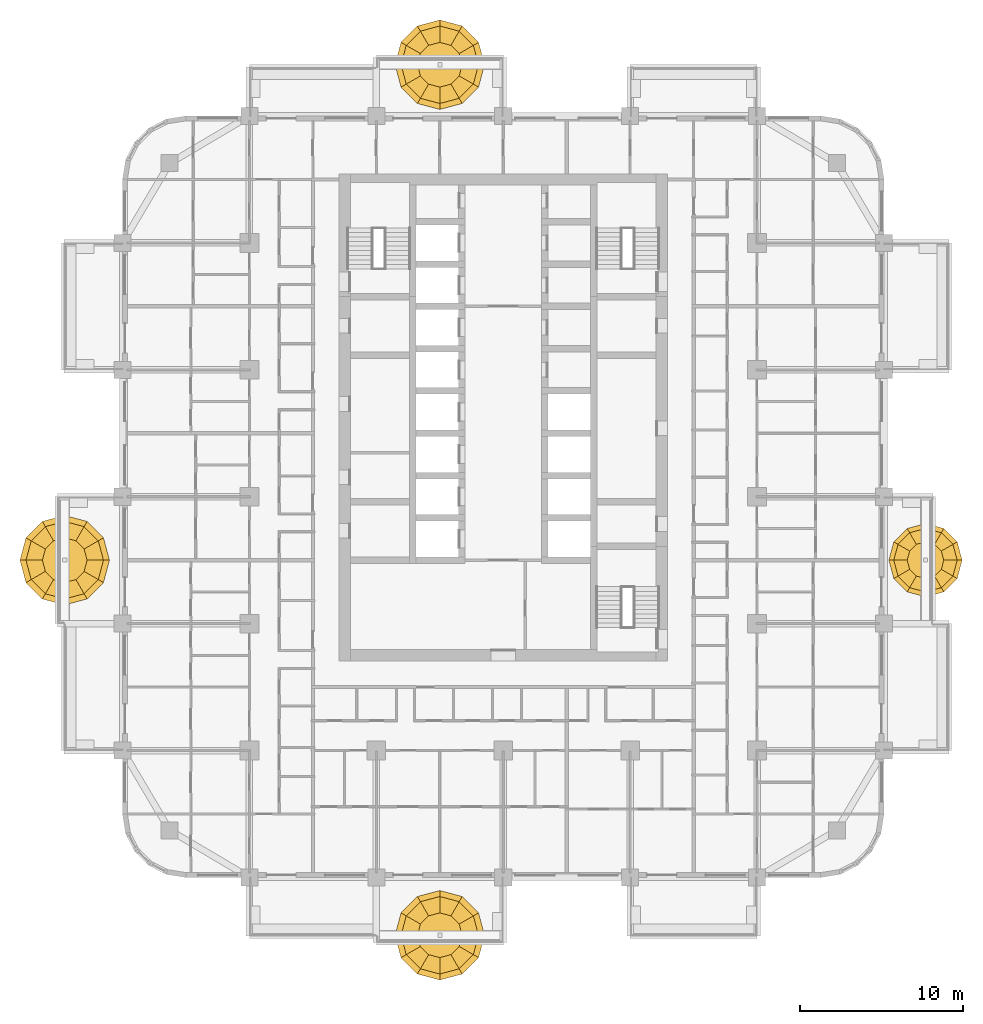
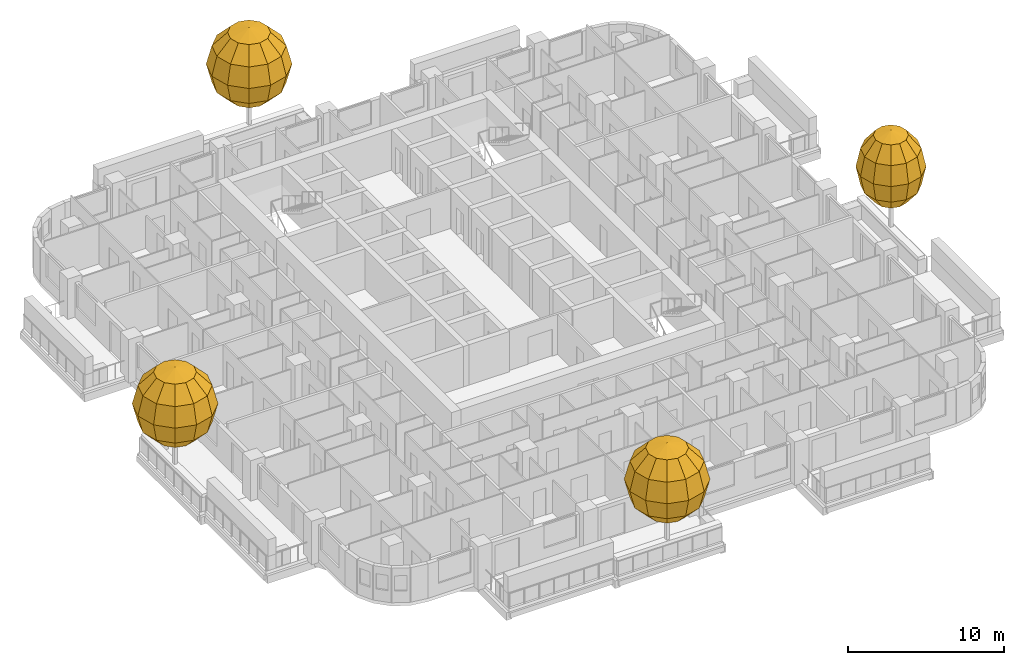
# One storey, part 18 of 18: 4 coverings.
"""IFC4 building model written with IfcOpenShell, lengths in metres."""

from ifc_helpers import new_model, si_unit, direction, frame, origin, place, context, subcontext, project, spatial, triangles, material, layer, layer_set, type_object, element, save


model = new_model("IFC4")

# Units and contexts
model_context = context("Model", 3, precision=1e-05, world=origin(), true_north=direction((0.0, 1.0)))
body_context = subcontext(model_context, "Body", "Model", "MODEL_VIEW")
ifc_project = project(units=[si_unit("LENGTHUNIT", "METRE"), si_unit("AREAUNIT", "SQUARE_METRE"), si_unit("VOLUMEUNIT", "CUBIC_METRE"), si_unit("PLANEANGLEUNIT", "RADIAN"), si_unit("MASSUNIT", "GRAM", prefix="KILO")], contexts=[model_context])

# Site, building, storey
site_placement = place(None, origin())
site = spatial("IfcSite", under=ifc_project, at=site_placement, CompositionType="ELEMENT")
building_placement = place(site_placement, origin())
building = spatial("IfcBuilding", under=site, at=building_placement, Name="Ludao Terraces", CompositionType="ELEMENT")
storey_placement = place(building_placement, frame((0.0, 0.0, 26.300048828125)))
storey = spatial("IfcBuildingStorey", under=building, at=storey_placement, Name="L06", CompositionType="ELEMENT", Elevation=26.300048828125)

# Coverings
ifc_material = material(Name="Planting")
ifc_layer_1 = layer(ifc_material, 4.5)
ifc_layer_set_1 = layer_set([ifc_layer_1], Name="ENV Tree crown 4500x5700")
covering_type_1 = type_object("IfcCoveringType", Name="ENV Tree crown 4500x5700", PredefinedType="USERDEFINED", material=ifc_layer_set_1)
covering_1_placement = place(storey_placement, frame((110.949951171875, 61.10009765625, 6.0)))
element("IfcCovering", 1, at=covering_1_placement, inside=storey, type_object=covering_type_1, Name="Tree crown L06 E2", ObjectType="PLANTING", PredefinedType="USERDEFINED", context=body_context, shape_type="Tessellation", body=[
    triangles([(0.0, 0.0, 2.85009765625), (1.125, 0.0, 2.46826171875), (0.974365234375, 0.5625, 2.46826171875), (0.5625, 0.974365234375, 2.46826171875), (0.0, 1.125, 2.46826171875), (-0.5625, 0.974365234375, 2.46826171875), (-0.974365234375, 0.5625, 2.46826171875), (-1.125, 0.0, 2.46826171875), (-0.974365234375, -0.5625, 2.46826171875), (-0.5625, -0.974365234375, 2.46826171875), (0.0, -1.125, 2.46826171875), (0.5625, -0.974365234375, 2.46826171875), (0.974365234375, -0.5625, 2.46826171875), (1.948486328125, 0.0, 1.425048828125), (1.6875, 0.974365234375, 1.425048828125), (0.974365234375, 1.6875, 1.425048828125), (0.0, 1.948486328125, 1.425048828125), (-0.974365234375, 1.6875, 1.425048828125), (-1.6875, 0.974365234375, 1.425048828125), (-1.948486328125, 0.0, 1.425048828125), (-1.6875, -0.974365234375, 1.425048828125), (-0.974365234375, -1.6875, 1.425048828125), (0.0, -1.948486328125, 1.425048828125), (0.974365234375, -1.6875, 1.425048828125), (1.6875, -0.974365234375, 1.425048828125), (2.25, 0.0, 0.0), (1.948486328125, 1.125, 0.0), (1.125, 1.948486328125, 0.0), (0.0, 2.25, 0.0), (-1.125, 1.948486328125, 0.0), (-1.948486328125, 1.125, 0.0), (-2.25, 0.0, 0.0), (-1.948486328125, -1.125, 0.0), (-1.125, -1.948486328125, 0.0), (0.0, -2.25, 0.0), (1.125, -1.948486328125, 0.0), (1.948486328125, -1.125, 0.0), (1.948486328125, 0.0, -1.425048828125), (1.6875, 0.974365234375, -1.425048828125), (0.974365234375, 1.6875, -1.425048828125), (0.0, 1.948486328125, -1.425048828125), (-0.974365234375, 1.6875, -1.425048828125), (-1.6875, 0.974365234375, -1.425048828125), (-1.948486328125, 0.0, -1.425048828125), (-1.6875, -0.974365234375, -1.425048828125), (-0.974365234375, -1.6875, -1.425048828125), (0.0, -1.948486328125, -1.425048828125), (0.974365234375, -1.6875, -1.425048828125), (1.6875, -0.974365234375, -1.425048828125), (1.125, 0.0, -2.46826171875), (0.974365234375, 0.5625, -2.46826171875), (0.5625, 0.974365234375, -2.46826171875), (0.0, 1.125, -2.46826171875), (-0.5625, 0.974365234375, -2.46826171875), (-0.974365234375, 0.5625, -2.46826171875), (-1.125, 0.0, -2.46826171875), (-0.974365234375, -0.5625, -2.46826171875), (-0.5625, -0.974365234375, -2.46826171875), (0.0, -1.125, -2.46826171875), (0.5625, -0.974365234375, -2.46826171875), (0.974365234375, -0.5625, -2.46826171875), (0.0, 0.0, -2.85009765625)], [[1, 2, 3], [1, 3, 4], [1, 4, 5], [1, 5, 6], [1, 6, 7], [1, 7, 8], [1, 8, 9], [1, 9, 10], [1, 10, 11], [1, 11, 12], [1, 12, 13], [1, 13, 2], [2, 14, 15], [2, 15, 3], [3, 15, 16], [3, 16, 4], [4, 16, 17], [4, 17, 5], [5, 17, 18], [5, 18, 6], [6, 18, 19], [6, 19, 7], [7, 19, 20], [7, 20, 8], [8, 20, 21], [8, 21, 9], [9, 21, 22], [9, 22, 10], [10, 22, 23], [10, 23, 11], [11, 23, 24], [11, 24, 12], [12, 24, 25], [12, 25, 13], [13, 25, 14], [13, 14, 2], [14, 26, 27], [14, 27, 15], [15, 27, 28], [15, 28, 16], [16, 28, 29], [16, 29, 17], [17, 29, 30], [17, 30, 18], [18, 30, 31], [18, 31, 19], [19, 31, 32], [19, 32, 20], [20, 32, 33], [20, 33, 21], [21, 33, 34], [21, 34, 22], [22, 34, 35], [22, 35, 23], [23, 35, 36], [23, 36, 24], [24, 36, 37], [24, 37, 25], [25, 37, 26], [25, 26, 14], [26, 38, 39], [26, 39, 27], [27, 39, 40], [27, 40, 28], [28, 40, 41], [28, 41, 29], [29, 41, 42], [29, 42, 30], [30, 42, 43], [30, 43, 31], [31, 43, 44], [31, 44, 32], [32, 44, 45], [32, 45, 33], [33, 45, 46], [33, 46, 34], [34, 46, 47], [34, 47, 35], [35, 47, 48], [35, 48, 36], [36, 48, 49], [36, 49, 37], [37, 49, 38], [37, 38, 26], [38, 50, 51], [38, 51, 39], [39, 51, 52], [39, 52, 40], [40, 52, 53], [40, 53, 41], [41, 53, 54], [41, 54, 42], [42, 54, 55], [42, 55, 43], [43, 55, 56], [43, 56, 44], [44, 56, 57], [44, 57, 45], [45, 57, 58], [45, 58, 46], [46, 58, 59], [46, 59, 47], [47, 59, 60], [47, 60, 48], [48, 60, 61], [48, 61, 49], [49, 61, 50], [49, 50, 38], [62, 51, 50], [62, 52, 51], [62, 53, 52], [62, 54, 53], [62, 55, 54], [62, 56, 55], [62, 57, 56], [62, 58, 57], [62, 59, 58], [62, 60, 59], [62, 61, 60], [62, 50, 61]], closed=True),
])
ifc_layer_2 = layer(ifc_material, 5.5)
ifc_layer_set_2 = layer_set([ifc_layer_2], Name="ENV Tree crown 5500x5700")
covering_type_2 = type_object("IfcCoveringType", Name="ENV Tree crown 5500x5700", PredefinedType="USERDEFINED", material=ifc_layer_set_2)
covering_2_placement = place(storey_placement, frame((81.10009765625, 38.050048828125, 6.0)))
element("IfcCovering", 2, at=covering_2_placement, inside=storey, type_object=covering_type_2, Name="Tree crown L06 S2", ObjectType="PLANTING", PredefinedType="USERDEFINED", context=body_context, shape_type="Tessellation", body=[
    triangles([(0.0, 0.0, 2.85009765625), (1.375, 0.0, 2.46826171875), (1.190673828125, 0.6875, 2.46826171875), (0.6875, 1.190673828125, 2.46826171875), (0.0, 1.375, 2.46826171875), (-0.6875, 1.190673828125, 2.46826171875), (-1.190673828125, 0.6875, 2.46826171875), (-1.375, 0.0, 2.46826171875), (-1.190673828125, -0.6875, 2.46826171875), (-0.6875, -1.190673828125, 2.46826171875), (0.0, -1.375, 2.46826171875), (0.6875, -1.190673828125, 2.46826171875), (1.190673828125, -0.6875, 2.46826171875), (2.381591796875, 0.0, 1.425048828125), (2.0625, 1.190673828125, 1.425048828125), (1.190673828125, 2.0625, 1.425048828125), (0.0, 2.381591796875, 1.425048828125), (-1.190673828125, 2.0625, 1.425048828125), (-2.0625, 1.190673828125, 1.425048828125), (-2.381591796875, 0.0, 1.425048828125), (-2.0625, -1.190673828125, 1.425048828125), (-1.190673828125, -2.0625, 1.425048828125), (0.0, -2.381591796875, 1.425048828125), (1.190673828125, -2.0625, 1.425048828125), (2.0625, -1.190673828125, 1.425048828125), (2.75, 0.0, 0.0), (2.381591796875, 1.375, 0.0), (1.375, 2.381591796875, 0.0), (0.0, 2.75, 0.0), (-1.375, 2.381591796875, 0.0), (-2.381591796875, 1.375, 0.0), (-2.75, 0.0, 0.0), (-2.381591796875, -1.375, 0.0), (-1.375, -2.381591796875, 0.0), (0.0, -2.75, 0.0), (1.375, -2.381591796875, 0.0), (2.381591796875, -1.375, 0.0), (2.381591796875, 0.0, -1.425048828125), (2.0625, 1.190673828125, -1.425048828125), (1.190673828125, 2.0625, -1.425048828125), (0.0, 2.381591796875, -1.425048828125), (-1.190673828125, 2.0625, -1.425048828125), (-2.0625, 1.190673828125, -1.425048828125), (-2.381591796875, 0.0, -1.425048828125), (-2.0625, -1.190673828125, -1.425048828125), (-1.190673828125, -2.0625, -1.425048828125), (0.0, -2.381591796875, -1.425048828125), (1.190673828125, -2.0625, -1.425048828125), (2.0625, -1.190673828125, -1.425048828125), (1.375, 0.0, -2.46826171875), (1.190673828125, 0.6875, -2.46826171875), (0.6875, 1.190673828125, -2.46826171875), (0.0, 1.375, -2.46826171875), (-0.6875, 1.190673828125, -2.46826171875), (-1.190673828125, 0.6875, -2.46826171875), (-1.375, 0.0, -2.46826171875), (-1.190673828125, -0.6875, -2.46826171875), (-0.6875, -1.190673828125, -2.46826171875), (0.0, -1.375, -2.46826171875), (0.6875, -1.190673828125, -2.46826171875), (1.190673828125, -0.6875, -2.46826171875), (0.0, 0.0, -2.85009765625)], [[1, 2, 3], [1, 3, 4], [1, 4, 5], [1, 5, 6], [1, 6, 7], [1, 7, 8], [1, 8, 9], [1, 9, 10], [1, 10, 11], [1, 11, 12], [1, 12, 13], [1, 13, 2], [2, 14, 15], [2, 15, 3], [3, 15, 16], [3, 16, 4], [4, 16, 17], [4, 17, 5], [5, 17, 18], [5, 18, 6], [6, 18, 19], [6, 19, 7], [7, 19, 20], [7, 20, 8], [8, 20, 21], [8, 21, 9], [9, 21, 22], [9, 22, 10], [10, 22, 23], [10, 23, 11], [11, 23, 24], [11, 24, 12], [12, 24, 25], [12, 25, 13], [13, 25, 14], [13, 14, 2], [14, 26, 27], [14, 27, 15], [15, 27, 28], [15, 28, 16], [16, 28, 29], [16, 29, 17], [17, 29, 30], [17, 30, 18], [18, 30, 31], [18, 31, 19], [19, 31, 32], [19, 32, 20], [20, 32, 33], [20, 33, 21], [21, 33, 34], [21, 34, 22], [22, 34, 35], [22, 35, 23], [23, 35, 36], [23, 36, 24], [24, 36, 37], [24, 37, 25], [25, 37, 26], [25, 26, 14], [26, 38, 39], [26, 39, 27], [27, 39, 40], [27, 40, 28], [28, 40, 41], [28, 41, 29], [29, 41, 42], [29, 42, 30], [30, 42, 43], [30, 43, 31], [31, 43, 44], [31, 44, 32], [32, 44, 45], [32, 45, 33], [33, 45, 46], [33, 46, 34], [34, 46, 47], [34, 47, 35], [35, 47, 48], [35, 48, 36], [36, 48, 49], [36, 49, 37], [37, 49, 38], [37, 38, 26], [38, 50, 51], [38, 51, 39], [39, 51, 52], [39, 52, 40], [40, 52, 53], [40, 53, 41], [41, 53, 54], [41, 54, 42], [42, 54, 55], [42, 55, 43], [43, 55, 56], [43, 56, 44], [44, 56, 57], [44, 57, 45], [45, 57, 58], [45, 58, 46], [46, 58, 59], [46, 59, 47], [47, 59, 60], [47, 60, 48], [48, 60, 61], [48, 61, 49], [49, 61, 50], [49, 50, 38], [62, 51, 50], [62, 52, 51], [62, 53, 52], [62, 54, 53], [62, 55, 54], [62, 56, 55], [62, 57, 56], [62, 58, 57], [62, 59, 58], [62, 60, 59], [62, 61, 60], [62, 50, 61]], closed=True),
])
covering_3_placement = place(storey_placement, frame((81.10009765625, 91.550048828125, 6.0)))
element("IfcCovering", 3, at=covering_3_placement, inside=storey, type_object=covering_type_2, Name="Tree crown L06 N2", ObjectType="PLANTING", PredefinedType="USERDEFINED", context=body_context, shape_type="Tessellation", body=[
    triangles([(0.0, 0.0, 2.85009765625), (1.375, 0.0, 2.46826171875), (1.190673828125, 0.6875, 2.46826171875), (0.6875, 1.190673828125, 2.46826171875), (0.0, 1.375, 2.46826171875), (-0.6875, 1.190673828125, 2.46826171875), (-1.190673828125, 0.6875, 2.46826171875), (-1.375, 0.0, 2.46826171875), (-1.190673828125, -0.6875, 2.46826171875), (-0.6875, -1.190673828125, 2.46826171875), (0.0, -1.375, 2.46826171875), (0.6875, -1.190673828125, 2.46826171875), (1.190673828125, -0.6875, 2.46826171875), (2.381591796875, 0.0, 1.425048828125), (2.0625, 1.190673828125, 1.425048828125), (1.190673828125, 2.0625, 1.425048828125), (0.0, 2.381591796875, 1.425048828125), (-1.190673828125, 2.0625, 1.425048828125), (-2.0625, 1.190673828125, 1.425048828125), (-2.381591796875, 0.0, 1.425048828125), (-2.0625, -1.190673828125, 1.425048828125), (-1.190673828125, -2.0625, 1.425048828125), (0.0, -2.381591796875, 1.425048828125), (1.190673828125, -2.0625, 1.425048828125), (2.0625, -1.190673828125, 1.425048828125), (2.75, 0.0, 0.0), (2.381591796875, 1.375, 0.0), (1.375, 2.381591796875, 0.0), (0.0, 2.75, 0.0), (-1.375, 2.381591796875, 0.0), (-2.381591796875, 1.375, 0.0), (-2.75, 0.0, 0.0), (-2.381591796875, -1.375, 0.0), (-1.375, -2.381591796875, 0.0), (0.0, -2.75, 0.0), (1.375, -2.381591796875, 0.0), (2.381591796875, -1.375, 0.0), (2.381591796875, 0.0, -1.425048828125), (2.0625, 1.190673828125, -1.425048828125), (1.190673828125, 2.0625, -1.425048828125), (0.0, 2.381591796875, -1.425048828125), (-1.190673828125, 2.0625, -1.425048828125), (-2.0625, 1.190673828125, -1.425048828125), (-2.381591796875, 0.0, -1.425048828125), (-2.0625, -1.190673828125, -1.425048828125), (-1.190673828125, -2.0625, -1.425048828125), (0.0, -2.381591796875, -1.425048828125), (1.190673828125, -2.0625, -1.425048828125), (2.0625, -1.190673828125, -1.425048828125), (1.375, 0.0, -2.46826171875), (1.190673828125, 0.6875, -2.46826171875), (0.6875, 1.190673828125, -2.46826171875), (0.0, 1.375, -2.46826171875), (-0.6875, 1.190673828125, -2.46826171875), (-1.190673828125, 0.6875, -2.46826171875), (-1.375, 0.0, -2.46826171875), (-1.190673828125, -0.6875, -2.46826171875), (-0.6875, -1.190673828125, -2.46826171875), (0.0, -1.375, -2.46826171875), (0.6875, -1.190673828125, -2.46826171875), (1.190673828125, -0.6875, -2.46826171875), (0.0, 0.0, -2.85009765625)], [[1, 2, 3], [1, 3, 4], [1, 4, 5], [1, 5, 6], [1, 6, 7], [1, 7, 8], [1, 8, 9], [1, 9, 10], [1, 10, 11], [1, 11, 12], [1, 12, 13], [1, 13, 2], [2, 14, 15], [2, 15, 3], [3, 15, 16], [3, 16, 4], [4, 16, 17], [4, 17, 5], [5, 17, 18], [5, 18, 6], [6, 18, 19], [6, 19, 7], [7, 19, 20], [7, 20, 8], [8, 20, 21], [8, 21, 9], [9, 21, 22], [9, 22, 10], [10, 22, 23], [10, 23, 11], [11, 23, 24], [11, 24, 12], [12, 24, 25], [12, 25, 13], [13, 25, 14], [13, 14, 2], [14, 26, 27], [14, 27, 15], [15, 27, 28], [15, 28, 16], [16, 28, 29], [16, 29, 17], [17, 29, 30], [17, 30, 18], [18, 30, 31], [18, 31, 19], [19, 31, 32], [19, 32, 20], [20, 32, 33], [20, 33, 21], [21, 33, 34], [21, 34, 22], [22, 34, 35], [22, 35, 23], [23, 35, 36], [23, 36, 24], [24, 36, 37], [24, 37, 25], [25, 37, 26], [25, 26, 14], [26, 38, 39], [26, 39, 27], [27, 39, 40], [27, 40, 28], [28, 40, 41], [28, 41, 29], [29, 41, 42], [29, 42, 30], [30, 42, 43], [30, 43, 31], [31, 43, 44], [31, 44, 32], [32, 44, 45], [32, 45, 33], [33, 45, 46], [33, 46, 34], [34, 46, 47], [34, 47, 35], [35, 47, 48], [35, 48, 36], [36, 48, 49], [36, 49, 37], [37, 49, 38], [37, 38, 26], [38, 50, 51], [38, 51, 39], [39, 51, 52], [39, 52, 40], [40, 52, 53], [40, 53, 41], [41, 53, 54], [41, 54, 42], [42, 54, 55], [42, 55, 43], [43, 55, 56], [43, 56, 44], [44, 56, 57], [44, 57, 45], [45, 57, 58], [45, 58, 46], [46, 58, 59], [46, 59, 47], [47, 59, 60], [47, 60, 48], [48, 60, 61], [48, 61, 49], [49, 61, 50], [49, 50, 38], [62, 51, 50], [62, 52, 51], [62, 53, 52], [62, 54, 53], [62, 55, 54], [62, 56, 55], [62, 57, 56], [62, 58, 57], [62, 59, 58], [62, 60, 59], [62, 61, 60], [62, 50, 61]], closed=True),
])
covering_4_placement = place(storey_placement, frame((58.050048828125, 61.10009765625, 6.0)))
element("IfcCovering", 4, at=covering_4_placement, inside=storey, type_object=covering_type_2, Name="Tree crown L06 W2", ObjectType="PLANTING", PredefinedType="USERDEFINED", context=body_context, shape_type="Tessellation", body=[
    triangles([(0.0, 0.0, 2.85009765625), (1.375, 0.0, 2.46826171875), (1.190673828125, 0.6875, 2.46826171875), (0.6875, 1.190673828125, 2.46826171875), (0.0, 1.375, 2.46826171875), (-0.6875, 1.190673828125, 2.46826171875), (-1.190673828125, 0.6875, 2.46826171875), (-1.375, 0.0, 2.46826171875), (-1.190673828125, -0.6875, 2.46826171875), (-0.6875, -1.190673828125, 2.46826171875), (0.0, -1.375, 2.46826171875), (0.6875, -1.190673828125, 2.46826171875), (1.190673828125, -0.6875, 2.46826171875), (2.381591796875, 0.0, 1.425048828125), (2.0625, 1.190673828125, 1.425048828125), (1.190673828125, 2.0625, 1.425048828125), (0.0, 2.381591796875, 1.425048828125), (-1.190673828125, 2.0625, 1.425048828125), (-2.0625, 1.190673828125, 1.425048828125), (-2.381591796875, 0.0, 1.425048828125), (-2.0625, -1.190673828125, 1.425048828125), (-1.190673828125, -2.0625, 1.425048828125), (0.0, -2.381591796875, 1.425048828125), (1.190673828125, -2.0625, 1.425048828125), (2.0625, -1.190673828125, 1.425048828125), (2.75, 0.0, 0.0), (2.381591796875, 1.375, 0.0), (1.375, 2.381591796875, 0.0), (0.0, 2.75, 0.0), (-1.375, 2.381591796875, 0.0), (-2.381591796875, 1.375, 0.0), (-2.75, 0.0, 0.0), (-2.381591796875, -1.375, 0.0), (-1.375, -2.381591796875, 0.0), (0.0, -2.75, 0.0), (1.375, -2.381591796875, 0.0), (2.381591796875, -1.375, 0.0), (2.381591796875, 0.0, -1.425048828125), (2.0625, 1.190673828125, -1.425048828125), (1.190673828125, 2.0625, -1.425048828125), (0.0, 2.381591796875, -1.425048828125), (-1.190673828125, 2.0625, -1.425048828125), (-2.0625, 1.190673828125, -1.425048828125), (-2.381591796875, 0.0, -1.425048828125), (-2.0625, -1.190673828125, -1.425048828125), (-1.190673828125, -2.0625, -1.425048828125), (0.0, -2.381591796875, -1.425048828125), (1.190673828125, -2.0625, -1.425048828125), (2.0625, -1.190673828125, -1.425048828125), (1.375, 0.0, -2.46826171875), (1.190673828125, 0.6875, -2.46826171875), (0.6875, 1.190673828125, -2.46826171875), (0.0, 1.375, -2.46826171875), (-0.6875, 1.190673828125, -2.46826171875), (-1.190673828125, 0.6875, -2.46826171875), (-1.375, 0.0, -2.46826171875), (-1.190673828125, -0.6875, -2.46826171875), (-0.6875, -1.190673828125, -2.46826171875), (0.0, -1.375, -2.46826171875), (0.6875, -1.190673828125, -2.46826171875), (1.190673828125, -0.6875, -2.46826171875), (0.0, 0.0, -2.85009765625)], [[1, 2, 3], [1, 3, 4], [1, 4, 5], [1, 5, 6], [1, 6, 7], [1, 7, 8], [1, 8, 9], [1, 9, 10], [1, 10, 11], [1, 11, 12], [1, 12, 13], [1, 13, 2], [2, 14, 15], [2, 15, 3], [3, 15, 16], [3, 16, 4], [4, 16, 17], [4, 17, 5], [5, 17, 18], [5, 18, 6], [6, 18, 19], [6, 19, 7], [7, 19, 20], [7, 20, 8], [8, 20, 21], [8, 21, 9], [9, 21, 22], [9, 22, 10], [10, 22, 23], [10, 23, 11], [11, 23, 24], [11, 24, 12], [12, 24, 25], [12, 25, 13], [13, 25, 14], [13, 14, 2], [14, 26, 27], [14, 27, 15], [15, 27, 28], [15, 28, 16], [16, 28, 29], [16, 29, 17], [17, 29, 30], [17, 30, 18], [18, 30, 31], [18, 31, 19], [19, 31, 32], [19, 32, 20], [20, 32, 33], [20, 33, 21], [21, 33, 34], [21, 34, 22], [22, 34, 35], [22, 35, 23], [23, 35, 36], [23, 36, 24], [24, 36, 37], [24, 37, 25], [25, 37, 26], [25, 26, 14], [26, 38, 39], [26, 39, 27], [27, 39, 40], [27, 40, 28], [28, 40, 41], [28, 41, 29], [29, 41, 42], [29, 42, 30], [30, 42, 43], [30, 43, 31], [31, 43, 44], [31, 44, 32], [32, 44, 45], [32, 45, 33], [33, 45, 46], [33, 46, 34], [34, 46, 47], [34, 47, 35], [35, 47, 48], [35, 48, 36], [36, 48, 49], [36, 49, 37], [37, 49, 38], [37, 38, 26], [38, 50, 51], [38, 51, 39], [39, 51, 52], [39, 52, 40], [40, 52, 53], [40, 53, 41], [41, 53, 54], [41, 54, 42], [42, 54, 55], [42, 55, 43], [43, 55, 56], [43, 56, 44], [44, 56, 57], [44, 57, 45], [45, 57, 58], [45, 58, 46], [46, 58, 59], [46, 59, 47], [47, 59, 60], [47, 60, 48], [48, 60, 61], [48, 61, 49], [49, 61, 50], [49, 50, 38], [62, 51, 50], [62, 52, 51], [62, 53, 52], [62, 54, 53], [62, 55, 54], [62, 56, 55], [62, 57, 56], [62, 58, 57], [62, 59, 58], [62, 60, 59], [62, 61, 60], [62, 50, 61]], closed=True),
])

save(model, "model.ifc")
